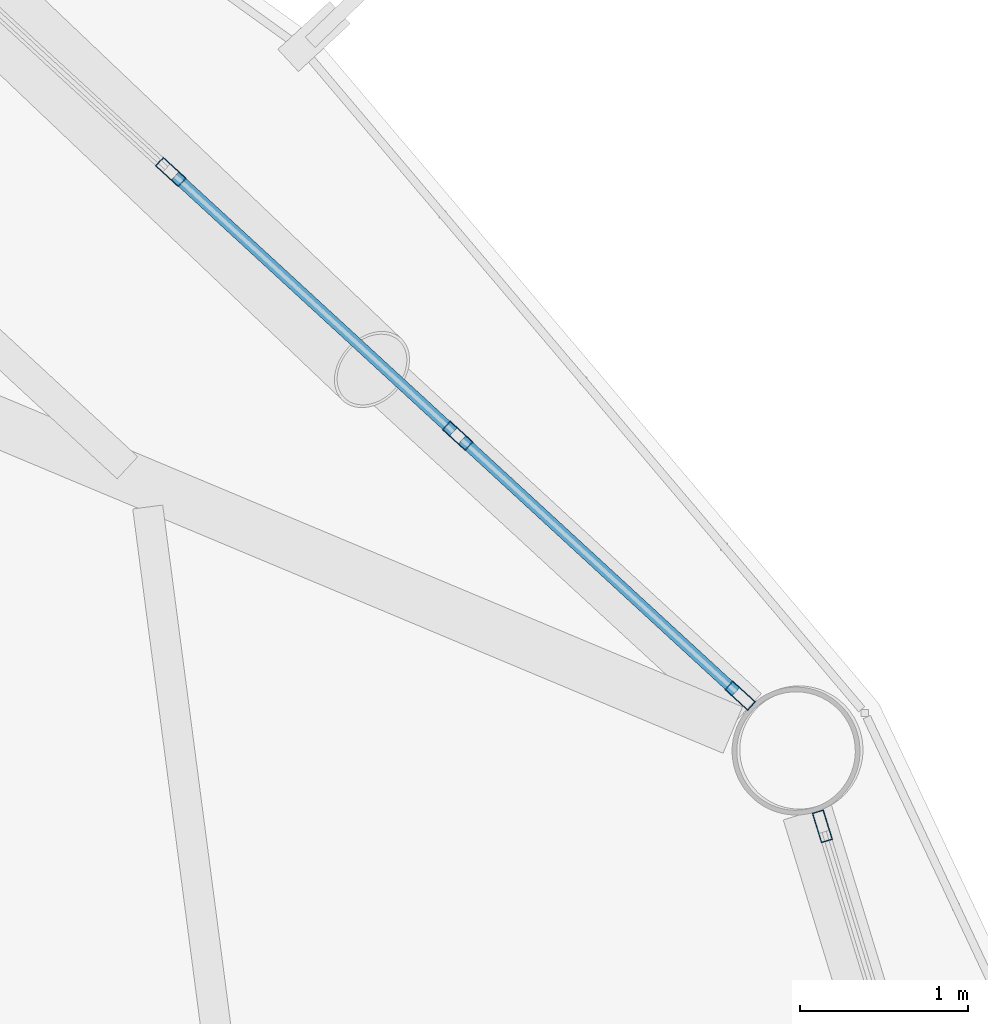
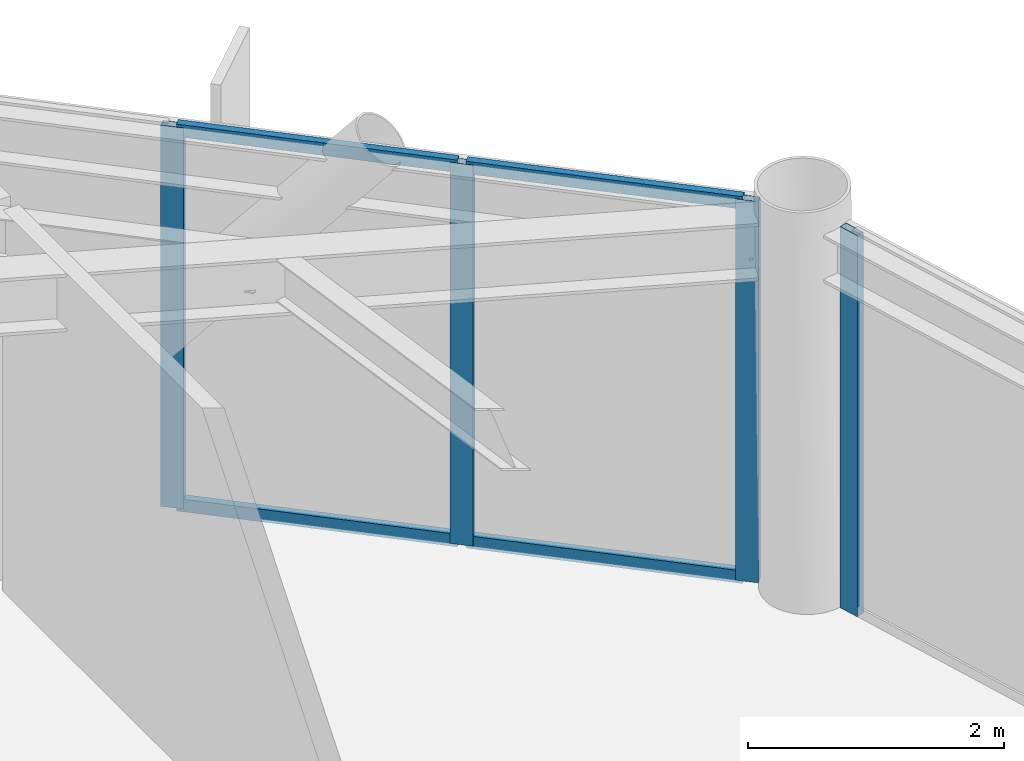
# One storey, part 16 of 24: 8 members, 2 elements without a shape of their own.
"""IFC4 building model written with IfcOpenShell, lengths in metres."""

from ifc_helpers import new_model, si_unit, direction, frame, origin, origin_2d, place, context, subcontext, project, spatial, hollow_rectangle, extrude, material, layer, layer_set, material_profile, profile_set, type_object, element, aggregate, save


model = new_model("IFC4")

# Units and contexts
model_context = context("Model", 3, precision=1e-05, world=origin(), true_north=direction((0.0, 1.0)))
body_context = subcontext(model_context, "Body", "Model", "MODEL_VIEW")
ifc_project = project(units=[si_unit("LENGTHUNIT", "METRE"), si_unit("AREAUNIT", "SQUARE_METRE"), si_unit("VOLUMEUNIT", "CUBIC_METRE"), si_unit("PLANEANGLEUNIT", "RADIAN"), si_unit("MASSUNIT", "GRAM", prefix="KILO")], contexts=[model_context])

# Site, building, storey
site_placement = place(None, origin())
site = spatial("IfcSite", under=ifc_project, at=site_placement, CompositionType="ELEMENT")
building_placement = place(site_placement, origin())
building = spatial("IfcBuilding", under=site, at=building_placement, Name="Varnakorn Sky Granary", CompositionType="ELEMENT")
storey_placement = place(building_placement, frame((0.0, 0.0, 161.699951171875)))
storey = spatial("IfcBuildingStorey", under=building, at=storey_placement, Name="L40", CompositionType="ELEMENT", Elevation=161.699951171875)

# Curtain wall, member
ifc_material = material(Name="Anodised Bronze Aluminium Alloy 6063-T6", Category="aluminium")
ifc_layer = layer(ifc_material, 0.179931640625, Name="Anodised Bronze Aluminium Alloy 6063-T6")
ifc_layer_set = layer_set([ifc_layer], Name="Anodised Bronze Aluminium Alloy 6063-T6")
curtain_wall_type = type_object("IfcCurtainWallType", Name="CW-FRM-2", PredefinedType="USERDEFINED", material=ifc_layer_set)
curtain_wall_1_placement = place(storey_placement, origin())
curtain_wall_1 = element("IfcCurtainWall", 1, at=curtain_wall_1_placement, inside=storey, type_object=curtain_wall_type, Name="Unitised Curtain Wall CW4 CW-L40-B01", ObjectType="CURTAIN WALL", PredefinedType="USERDEFINED")
ifc_material_profile_1 = material_profile(ifc_material, hollow_rectangle(XDim=0.070068359375, YDim=0.18505859375, WallThickness=0.00390625, at=origin_2d()), Name="ALU MULL 70x185")
ifc_profile_set_1 = profile_set([ifc_material_profile_1], Name="Anodised Bronze Aluminium Alloy 6063-T6")
member_type_1 = type_object("IfcMemberType", Name="CW-FRM-2-MULL", PredefinedType="MULLION", material=ifc_profile_set_1)
member_1_placement = place(storey_placement, frame((16.34765625, 8.94970703125, 0.0), z_axis=(0.0, 0.0, 1.0), x_axis=(0.956331104818, 0.292285507608, 0.0)))
member_1 = element("IfcMember", 2, at=member_1_placement, type_object=member_type_1, Name="CW4 mullion 1", PredefinedType="MULLION", context=body_context, shape_type="SweptSolid", body=[
    extrude(hollow_rectangle(XDim=0.070068359375, YDim=0.18505859375, WallThickness=0.00390625, at=origin_2d()), origin(), (0.0, 0.0, 1.0), 3.64013671875),
])
aggregate(curtain_wall_1, [member_1])

# Curtain wall, members
curtain_wall_2_placement = place(storey_placement, origin())
curtain_wall_2 = element("IfcCurtainWall", 3, at=curtain_wall_2_placement, inside=storey, type_object=curtain_wall_type, Name="Unitised Curtain Wall CW4 CW-L40-B02", ObjectType="CURTAIN WALL", PredefinedType="USERDEFINED")
member_2_placement = place(storey_placement, frame((12.46630859375, 12.847412109375, 0.0), z_axis=(0.0, 0.0, 1.0), x_axis=(0.677011277308, 0.735972642425, 0.0)))
member_2 = element("IfcMember", 4, at=member_2_placement, type_object=member_type_1, Name="CW4 mullion 3", PredefinedType="MULLION", context=body_context, shape_type="SweptSolid", body=[
    extrude(hollow_rectangle(XDim=0.070068359375, YDim=0.18505859375, WallThickness=0.00390625, at=origin_2d()), origin(), (0.0, 0.0, 1.0), 3.64013671875),
])
member_3_placement = place(storey_placement, frame((14.175048828125, 11.275634765625, 0.0), z_axis=(0.0, 0.0, 1.0), x_axis=(0.677011277308, 0.735972642425, 0.0)))
member_3 = element("IfcMember", 5, at=member_3_placement, type_object=member_type_1, Name="CW4 mullion 4", PredefinedType="MULLION", context=body_context, shape_type="SweptSolid", body=[
    extrude(hollow_rectangle(XDim=0.070068359375, YDim=0.18505859375, WallThickness=0.00390625, at=origin_2d()), origin(), (0.0, 0.0, 1.0), 3.64013671875),
])
member_4_placement = place(storey_placement, frame((15.858154296875, 9.727294921875, 0.0), z_axis=(0.0, 0.0, 1.0), x_axis=(0.677011277308, 0.735972642425, 0.0)))
member_4 = element("IfcMember", 6, at=member_4_placement, type_object=member_type_1, Name="CW4 mullion 5", PredefinedType="MULLION", context=body_context, shape_type="SweptSolid", body=[
    extrude(hollow_rectangle(XDim=0.070068359375, YDim=0.18505859375, WallThickness=0.00390625, at=origin_2d()), origin(), (0.0, 0.0, 1.0), 3.64013671875),
])
ifc_material_profile_2 = material_profile(ifc_material, hollow_rectangle(XDim=0.06494140625, YDim=0.1201171875, WallThickness=0.00341796875, at=origin_2d()), Name="ALU TRAN 65x120")
ifc_profile_set_2 = profile_set([ifc_material_profile_2], Name="Anodised Bronze Aluminium Alloy 6063-T6")
member_type_2 = type_object("IfcMemberType", Name="CW-FRM-2-TRAN", PredefinedType="USERDEFINED", material=ifc_profile_set_2)
member_5_placement = place(storey_placement, frame((12.491943359375, 12.82373046875, 0.032470703125), z_axis=(0.736032560773, -0.676946134845, 0.0), x_axis=(0.676946134845, 0.736032560773, 0.0)))
member_5 = element("IfcMember", 7, at=member_5_placement, type_object=member_type_2, Name="CW4 transom 3.1", ObjectType="TRANSOM", PredefinedType="USERDEFINED", context=body_context, shape_type="SweptSolid", body=[
    extrude(hollow_rectangle(XDim=0.06494140625, YDim=0.1201171875, WallThickness=0.00341796875, at=origin_2d()), origin(), (0.0, 0.0, 1.0), 2.251953125),
])
member_6_placement = place(storey_placement, frame((12.491943359375, 12.82373046875, 3.607666015625), z_axis=(0.736032560773, -0.676946134845, 0.0), x_axis=(0.676946134845, 0.736032560773, 0.0)))
member_6 = element("IfcMember", 8, at=member_6_placement, type_object=member_type_2, Name="CW4 transom 3.2", ObjectType="TRANSOM", PredefinedType="USERDEFINED", context=body_context, shape_type="SweptSolid", body=[
    extrude(hollow_rectangle(XDim=0.06494140625, YDim=0.1201171875, WallThickness=0.00341796875, at=origin_2d()), origin(), (0.0, 0.0, 1.0), 2.251953125),
])
member_7_placement = place(storey_placement, frame((14.200927734375, 11.251708984375, 0.032470703125), z_axis=(0.735955158094, -0.677030283868, 0.0), x_axis=(0.677030283868, 0.735955158094, 0.0)))
member_7 = element("IfcMember", 9, at=member_7_placement, type_object=member_type_2, Name="CW4 transom 4.1", ObjectType="TRANSOM", PredefinedType="USERDEFINED", context=body_context, shape_type="SweptSolid", body=[
    extrude(hollow_rectangle(XDim=0.06494140625, YDim=0.1201171875, WallThickness=0.00341796875, at=origin_2d()), origin(), (0.0, 0.0, 1.0), 2.216552734375),
])
member_8_placement = place(storey_placement, frame((14.200927734375, 11.251708984375, 3.607666015625), z_axis=(0.735955158094, -0.677030283868, 0.0), x_axis=(0.677030283868, 0.735955158094, 0.0)))
member_8 = element("IfcMember", 10, at=member_8_placement, type_object=member_type_2, Name="CW4 transom 4.2", ObjectType="TRANSOM", PredefinedType="USERDEFINED", context=body_context, shape_type="SweptSolid", body=[
    extrude(hollow_rectangle(XDim=0.06494140625, YDim=0.1201171875, WallThickness=0.00341796875, at=origin_2d()), origin(), (0.0, 0.0, 1.0), 2.216552734375),
])
aggregate(curtain_wall_2, [member_2, member_3, member_4, member_5, member_6, member_7, member_8])

save(model, "model.ifc")
